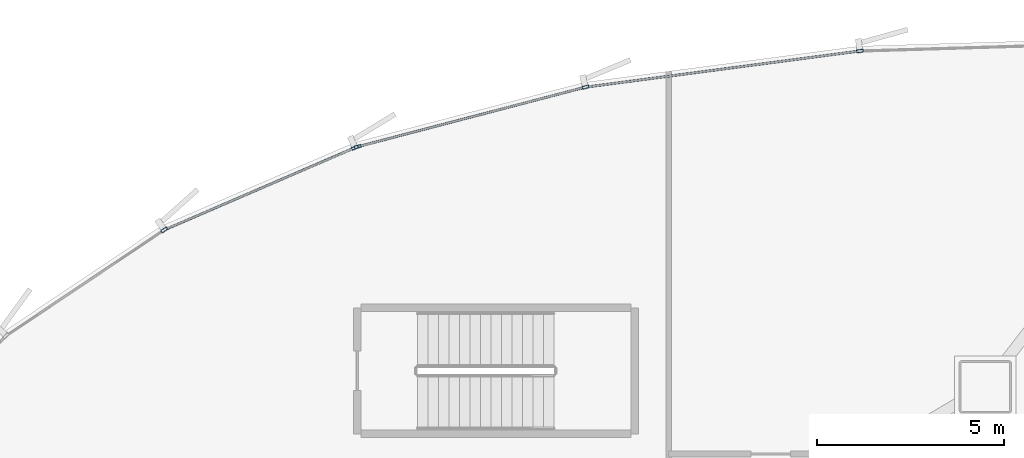
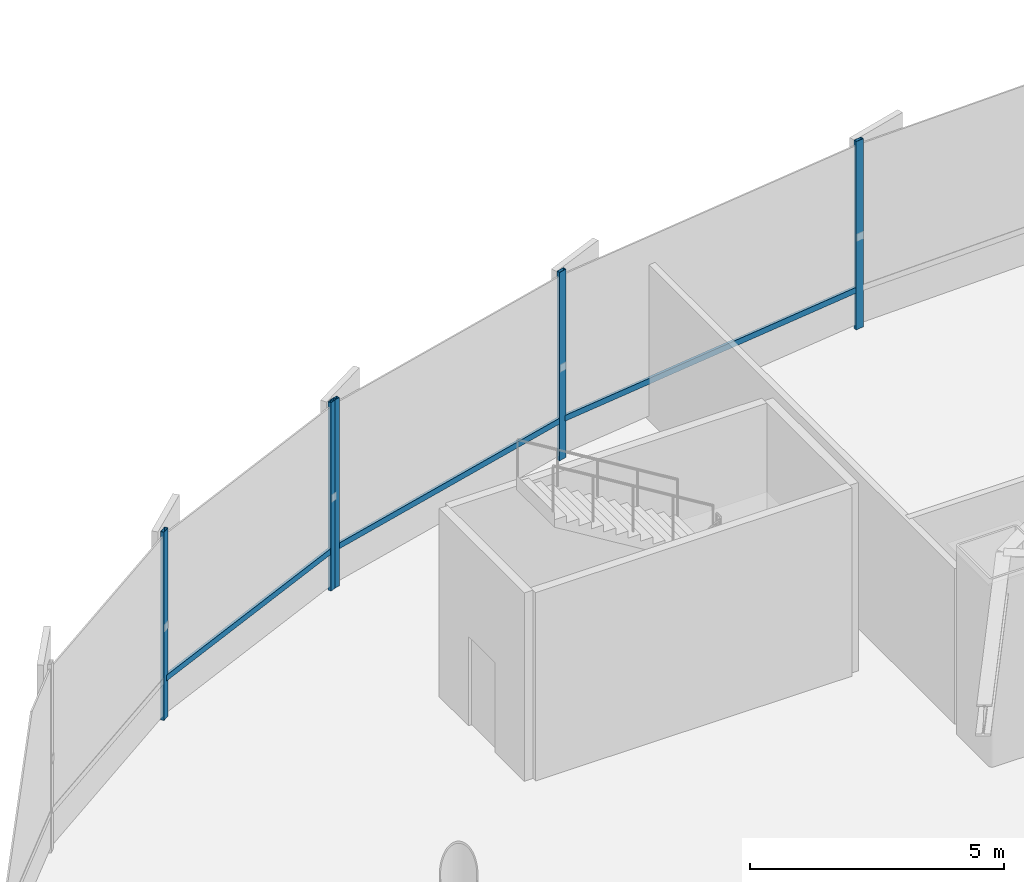
# One storey, part 12 of 34: 8 members, 2 elements without a shape of their own.
"""IFC4 building model written with IfcOpenShell, lengths in metres."""

from ifc_helpers import new_model, si_unit, direction, frame, origin, origin_2d, place, context, subcontext, project, spatial, hollow_rectangle, extrude, source, transform, mapped, material, layer, layer_set, material_profile, profile_set, type_object, element, aggregate, save


model = new_model("IFC4")

# Units and contexts
model_context = context("Model", 3, precision=1e-05, world=origin(), true_north=direction((0.0, 1.0)))
body_context = subcontext(model_context, "Body", "Model", "MODEL_VIEW")
ifc_project = project(units=[si_unit("LENGTHUNIT", "METRE"), si_unit("AREAUNIT", "SQUARE_METRE"), si_unit("VOLUMEUNIT", "CUBIC_METRE"), si_unit("PLANEANGLEUNIT", "RADIAN"), si_unit("MASSUNIT", "GRAM", prefix="KILO"), si_unit("THERMODYNAMICTEMPERATUREUNIT", "KELVIN")], contexts=[model_context])

# Site, building, storey
site_placement = place(None, origin())
site = spatial("IfcSite", under=ifc_project, at=site_placement, CompositionType="ELEMENT")
building_placement = place(site_placement, origin())
building = spatial("IfcBuilding", under=site, at=building_placement, Name="Kethvar Cultural Tower", CompositionType="ELEMENT")
storey_placement = place(building_placement, frame((0.0, 0.0, 14.800048828125)))
storey = spatial("IfcBuildingStorey", under=building, at=storey_placement, Name="L03", CompositionType="ELEMENT", Elevation=14.800048828125)

# Curtain wall, member
ifc_material = material(Name="Aluminium 6063-T6", Category="aluminium")
ifc_layer = layer(ifc_material, 0.179931640625, Name="Aluminium 6063-T6", Category="aluminium")
ifc_layer_set = layer_set([ifc_layer], Name="Aluminium 6063-T6 (180 mm)")
curtain_wall_type = type_object("IfcCurtainWallType", Name="CW-SYS-01-POD", PredefinedType="NOTDEFINED", material=ifc_layer_set)
curtain_wall_1_placement = place(storey_placement, origin())
curtain_wall_1 = element("IfcCurtainWall", 1, at=curtain_wall_1_placement, inside=storey, type_object=curtain_wall_type, Name="L03 Curtain Wall Run 03", PredefinedType="NOTDEFINED")
ifc_material_profile_1 = material_profile(ifc_material, hollow_rectangle(XDim=0.06005859375, YDim=0.139892578125, WallThickness=0.0048828125, at=origin_2d()), Name="Aluminium 6063-T6 — RHS140x60x5")
ifc_profile_set_1 = profile_set([ifc_material_profile_1], Name="Aluminium 6063-T6 — RHS140x60x5")
member_type_1 = type_object("IfcMemberType", Name="CW-SYS-01-POD-TRN", PredefinedType="USERDEFINED", material=ifc_profile_set_1)
shared_shape_1 = source(origin(), body_context, "Body", "SweptSolid", [
    extrude(hollow_rectangle(XDim=0.06005859375, YDim=0.139892578125, WallThickness=0.0048828125, at=origin_2d()), origin(), (0.0, 0.0, 1.0), 5.504638671875),
])
member_1_placement = place(storey_placement, frame((17.82861328125, 52.3681640625, 0.949951171875), z_axis=(-0.918072625283, -0.39641222825, 0.0), x_axis=(0.39641222825, -0.918072625283, 0.0)))
member_1 = element("IfcMember", 2, at=member_1_placement, type_object=member_type_1, Name="CW-L03-R03 Transom 1", ObjectType="TRANSOM", PredefinedType="USERDEFINED", context=body_context, shape_type="MappedRepresentation", body=[
    mapped(shared_shape_1, transform((0.0, 0.0, 0.0), scale=1.0)),
])

# Curtain wall, members
curtain_wall_2_placement = place(storey_placement, origin())
curtain_wall_2 = element("IfcCurtainWall", 3, at=curtain_wall_2_placement, inside=storey, type_object=curtain_wall_type, Name="L03 Curtain Wall Run 02", PredefinedType="NOTDEFINED")
shared_shape_2 = source(origin(), body_context, "Body", "SweptSolid", [
    extrude(hollow_rectangle(XDim=0.06005859375, YDim=0.139892578125, WallThickness=0.0048828125, at=origin_2d()), origin(), (0.0, 0.0, 1.0), 7.28955078125),
])
member_2_placement = place(storey_placement, frame((31.24755859375, 54.94091796875, 0.949951171875), z_axis=(-0.9914326226, -0.13061912128, 0.0), x_axis=(0.13061912128, -0.9914326226, 0.0)))
member_2 = element("IfcMember", 4, at=member_2_placement, type_object=member_type_1, Name="CW-L03-R02 Transom 5", ObjectType="TRANSOM", PredefinedType="USERDEFINED", context=body_context, shape_type="MappedRepresentation", body=[
    mapped(shared_shape_2, transform((0.0, 0.0, 0.0), scale=1.0)),
])
shared_shape_3 = source(origin(), body_context, "Body", "SweptSolid", [
    extrude(hollow_rectangle(XDim=0.06005859375, YDim=0.139892578125, WallThickness=0.0048828125, at=origin_2d()), origin(), (0.0, 0.0, 1.0), 6.221435546875),
])
member_3_placement = place(storey_placement, frame((23.930908203125, 53.97119140625, 0.949951171875), z_axis=(-0.967458727109, -0.253028874519, 0.0), x_axis=(0.253028874519, -0.967458727109, 0.0)))
member_3 = element("IfcMember", 5, at=member_3_placement, type_object=member_type_1, Name="CW-L03-R02 Transom 6", ObjectType="TRANSOM", PredefinedType="USERDEFINED", context=body_context, shape_type="MappedRepresentation", body=[
    mapped(shared_shape_3, transform((0.0, 0.0, 0.0), scale=1.0)),
])
ifc_material_profile_2 = material_profile(ifc_material, hollow_rectangle(XDim=0.074951171875, YDim=0.179931640625, WallThickness=0.006103515625, at=origin_2d()), Name="Aluminium 6063-T6 — RHS180x75x6")
ifc_profile_set_2 = profile_set([ifc_material_profile_2], Name="Aluminium 6063-T6 — RHS180x75x6")
member_type_2 = type_object("IfcMemberType", Name="CW-SYS-01-POD-MUL", PredefinedType="MULLION", material=ifc_profile_set_2)
shared_shape_4 = source(origin(), body_context, "Body", "SweptSolid", [
    extrude(hollow_rectangle(XDim=0.074951171875, YDim=0.179931640625, WallThickness=0.006103515625, at=origin_2d()), origin(), (0.0, 0.0, 1.0), 4.530029296875),
])
member_4_placement = place(storey_placement, frame((31.301025390625, 54.947998046875, 0.0), z_axis=(0.0, 0.0, 1.0), x_axis=(0.130647319086, -0.991428907192, 0.0)))
member_4 = element("IfcMember", 6, at=member_4_placement, type_object=member_type_2, Name="CW-L03-R02 Mullion 5", PredefinedType="MULLION", context=body_context, shape_type="MappedRepresentation", body=[
    mapped(shared_shape_4, transform((0.0, 0.0, 0.0), scale=1.0)),
])
member_5_placement = place(storey_placement, frame((23.98291015625, 53.984619140625, 0.0), z_axis=(0.0, 0.0, 1.0), x_axis=(0.253031946887, -0.967457923558, 0.0)))
member_5 = element("IfcMember", 7, at=member_5_placement, type_object=member_type_2, Name="CW-L03-R02 Mullion 6", PredefinedType="MULLION", context=body_context, shape_type="MappedRepresentation", body=[
    mapped(shared_shape_4, transform((0.0, 0.0, 0.0), scale=1.0)),
])
member_6_placement = place(storey_placement, frame((17.90673828125, 52.3955078125, 0.0), z_axis=(0.0, 0.0, 1.0), x_axis=(0.253031946887, -0.967457923558, 0.0)))
member_6 = element("IfcMember", 8, at=member_6_placement, type_object=member_type_2, Name="CW-L03-R02 Mullion 7", PredefinedType="MULLION", context=body_context, shape_type="MappedRepresentation", body=[
    mapped(shared_shape_4, transform((0.0, 0.0, 0.0), scale=1.0)),
])
aggregate(curtain_wall_2, [member_4, member_5, member_6, member_2, member_3])

# Member
member_7_placement = place(storey_placement, frame((17.83349609375, 52.370361328125, 0.0), z_axis=(0.0, 0.0, 1.0), x_axis=(0.396410942082, -0.918073180633, 0.0)))
member_7 = element("IfcMember", 9, at=member_7_placement, type_object=member_type_2, Name="CW-L03-R03 Mullion 1", PredefinedType="MULLION", context=body_context, shape_type="MappedRepresentation", body=[
    mapped(shared_shape_4, transform((0.0, 0.0, 0.0), scale=1.0)),
])

member_8_placement = place(storey_placement, frame((12.74609375, 50.176025390625, 0.0), z_axis=(0.0, 0.0, 1.0), x_axis=(0.556556649514, -0.830809662848, 0.0)))
member_8 = element("IfcMember", 10, at=member_8_placement, type_object=member_type_2, Name="CW-L03-R03 Mullion 2", PredefinedType="MULLION", context=body_context, shape_type="MappedRepresentation", body=[
    mapped(shared_shape_4, transform((0.0, 0.0, 0.0), scale=1.0)),
])

aggregate(curtain_wall_1, [member_7, member_8, member_1])

save(model, "model.ifc")
